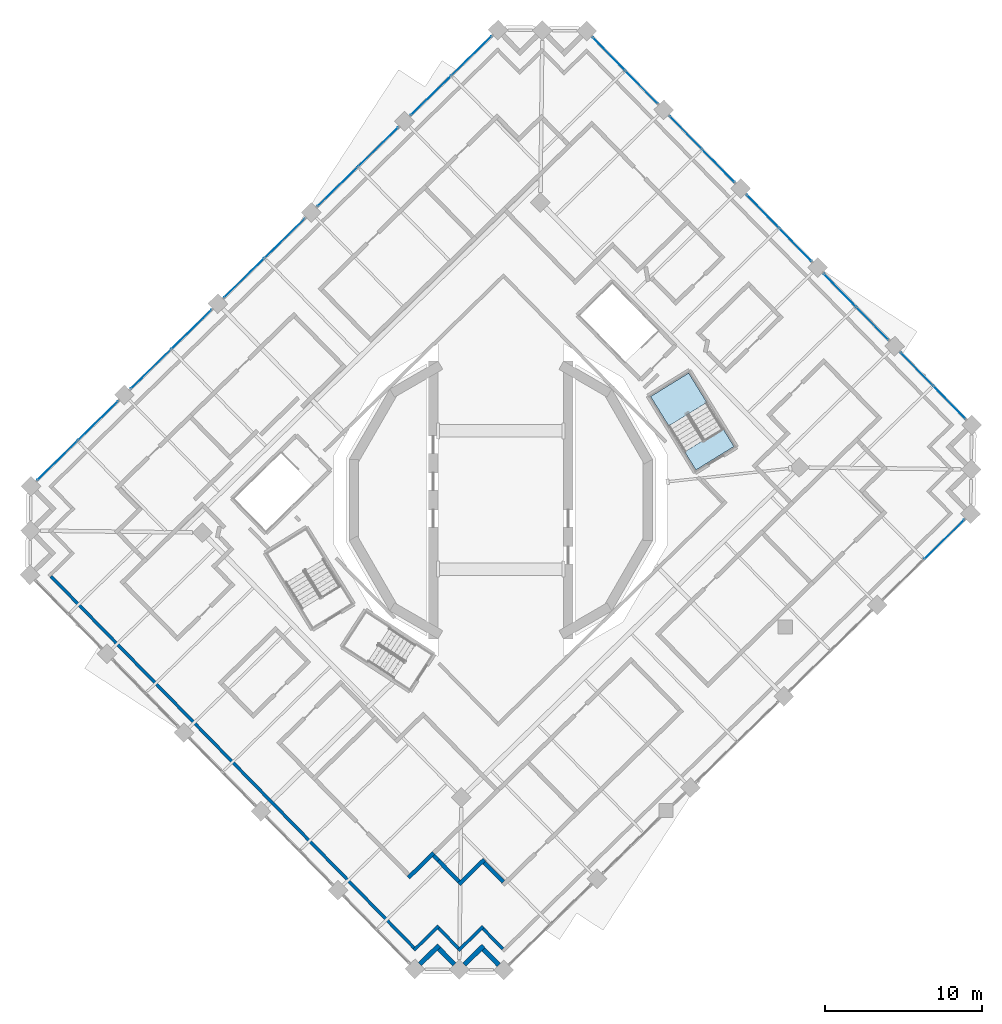
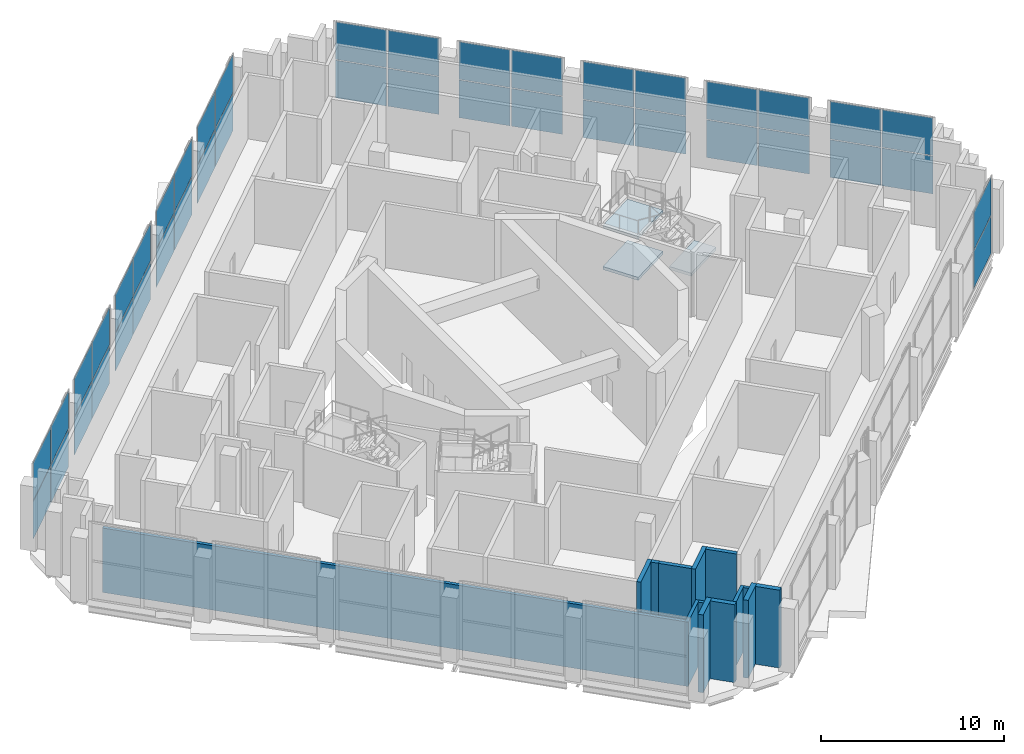
# One storey, part 12 of 20: 42 plates, 14 walls, 3 slabs, 12 elements without a shape of their own.
"""IFC4 building model written with IfcOpenShell, lengths in metres."""

from ifc_helpers import new_model, si_unit, direction, frame, frame_2d, origin, origin_2d, place, context, subcontext, project, spatial, polyline, rectangle, outline, extrude, material, layer, layer_set, type_object, element, aggregate, save


model = new_model("IFC4")

# Units and contexts
model_context = context("Model", 3, precision=1e-05, world=origin(), true_north=direction((0.0, 1.0)))
body_context = subcontext(model_context, "Body", "Model", "MODEL_VIEW")
ifc_project = project(units=[si_unit("LENGTHUNIT", "METRE"), si_unit("AREAUNIT", "SQUARE_METRE"), si_unit("VOLUMEUNIT", "CUBIC_METRE"), si_unit("PLANEANGLEUNIT", "RADIAN"), si_unit("MASSUNIT", "GRAM", prefix="KILO")], contexts=[model_context])

# Site, building, storey
site_placement = place(None, origin())
site = spatial("IfcSite", under=ifc_project, at=site_placement, CompositionType="ELEMENT")
building_placement = place(site_placement, origin())
building = spatial("IfcBuilding", under=site, at=building_placement, Name="Cantera Rosa Tower", CompositionType="ELEMENT")
storey_placement = place(building_placement, frame((0.0, 0.0, 245.0)))
storey = spatial("IfcBuildingStorey", under=building, at=storey_placement, Name="L54", CompositionType="ELEMENT", Elevation=245.0)

# Curtain wall, plates
ifc_material_1 = material(Name="Anodised aluminium louvre", Category="aluminium")
curtain_wall_type = type_object("IfcCurtainWallType", Name="CW3 REFUGE LOUVRE WALL", PredefinedType="NOTDEFINED", material=ifc_material_1)
curtain_wall_1_placement = place(storey_placement, origin())
curtain_wall_1 = element("IfcCurtainWall", 1, at=curtain_wall_1_placement, inside=storey, type_object=curtain_wall_type, Name="CW3 CW3", PredefinedType="NOTDEFINED")
ifc_material_2 = material(Name="Anodised aluminium louvre", Category="aluminium")
ifc_layer_1 = layer(ifc_material_2, 0.028076171875)
ifc_layer_set_1 = layer_set([ifc_layer_1], Name="CW-PANEL REFUGE")
plate_type = type_object("IfcPlateType", Name="CW-PANEL REFUGE", PredefinedType="CURTAIN_PANEL", material=ifc_layer_set_1)
plate_1_placement = place(storey_placement, frame((23.6826171875, 11.24755859375, 0.06005859375), z_axis=(0.0, 0.0, 1.0), x_axis=(-0.698831540389, 0.715286291046, 0.0)))
plate_1 = element("IfcPlate", 2, at=plate_1_placement, type_object=plate_type, Name="CW3 panel 1.1", PredefinedType="CURTAIN_PANEL", context=body_context, shape_type="SweptSolid", body=[
    extrude(rectangle(XDim=2.889892578125, YDim=0.028076171875, at=origin_2d()), origin(), (0.0, 0.0, 1.0), 2.510009765625),
])
plate_2_placement = place(storey_placement, frame((23.6826171875, 11.24755859375, 2.6298828125), z_axis=(0.0, 0.0, 1.0), x_axis=(-0.698831540389, 0.715286291046, 0.0)))
plate_2 = element("IfcPlate", 3, at=plate_2_placement, type_object=plate_type, Name="CW3 panel 1.2", PredefinedType="CURTAIN_PANEL", context=body_context, shape_type="SweptSolid", body=[
    extrude(rectangle(XDim=2.889892578125, YDim=0.028076171875, at=origin_2d()), origin(), (0.0, 0.0, 1.0), 2.510009765625),
])
plate_3_placement = place(storey_placement, frame((21.607177734375, 13.371826171875, 0.06005859375), z_axis=(0.0, 0.0, 1.0), x_axis=(-0.698831540389, 0.715286291046, 0.0)))
plate_3 = element("IfcPlate", 4, at=plate_3_placement, type_object=plate_type, Name="CW3 panel 2.1", PredefinedType="CURTAIN_PANEL", context=body_context, shape_type="SweptSolid", body=[
    extrude(rectangle(XDim=2.889892578125, YDim=0.028076171875, at=origin_2d()), origin(), (0.0, 0.0, 1.0), 2.510009765625),
])
plate_4_placement = place(storey_placement, frame((21.607177734375, 13.371826171875, 2.6298828125), z_axis=(0.0, 0.0, 1.0), x_axis=(-0.698831540389, 0.715286291046, 0.0)))
plate_4 = element("IfcPlate", 5, at=plate_4_placement, type_object=plate_type, Name="CW3 panel 2.2", PredefinedType="CURTAIN_PANEL", context=body_context, shape_type="SweptSolid", body=[
    extrude(rectangle(XDim=2.889892578125, YDim=0.028076171875, at=origin_2d()), origin(), (0.0, 0.0, 1.0), 2.510009765625),
])
aggregate(curtain_wall_1, [plate_1, plate_2, plate_3, plate_4])

curtain_wall_2_placement = place(storey_placement, origin())
curtain_wall_2 = element("IfcCurtainWall", 6, at=curtain_wall_2_placement, inside=storey, type_object=curtain_wall_type, Name="CW3 CW3", PredefinedType="NOTDEFINED")
plate_5_placement = place(storey_placement, frame((18.77685546875, 16.268798828125, 0.06005859375), z_axis=(0.0, 0.0, 1.0), x_axis=(-0.698831540389, 0.715286291046, 0.0)))
plate_5 = element("IfcPlate", 7, at=plate_5_placement, type_object=plate_type, Name="CW3 panel 1.1", PredefinedType="CURTAIN_PANEL", context=body_context, shape_type="SweptSolid", body=[
    extrude(rectangle(XDim=2.889892578125, YDim=0.028076171875, at=origin_2d()), origin(), (0.0, 0.0, 1.0), 2.510009765625),
])
plate_6_placement = place(storey_placement, frame((18.77685546875, 16.268798828125, 2.6298828125), z_axis=(0.0, 0.0, 1.0), x_axis=(-0.698831540389, 0.715286291046, 0.0)))
plate_6 = element("IfcPlate", 8, at=plate_6_placement, type_object=plate_type, Name="CW3 panel 1.2", PredefinedType="CURTAIN_PANEL", context=body_context, shape_type="SweptSolid", body=[
    extrude(rectangle(XDim=2.889892578125, YDim=0.028076171875, at=origin_2d()), origin(), (0.0, 0.0, 1.0), 2.510009765625),
])
plate_7_placement = place(storey_placement, frame((16.701416015625, 18.393310546875, 0.06005859375), z_axis=(0.0, 0.0, 1.0), x_axis=(-0.698831540389, 0.715286291046, 0.0)))
plate_7 = element("IfcPlate", 9, at=plate_7_placement, type_object=plate_type, Name="CW3 panel 2.1", PredefinedType="CURTAIN_PANEL", context=body_context, shape_type="SweptSolid", body=[
    extrude(rectangle(XDim=2.889892578125, YDim=0.028076171875, at=origin_2d()), origin(), (0.0, 0.0, 1.0), 2.510009765625),
])
plate_8_placement = place(storey_placement, frame((16.701416015625, 18.393310546875, 2.6298828125), z_axis=(0.0, 0.0, 1.0), x_axis=(-0.698831540389, 0.715286291046, 0.0)))
plate_8 = element("IfcPlate", 10, at=plate_8_placement, type_object=plate_type, Name="CW3 panel 2.2", PredefinedType="CURTAIN_PANEL", context=body_context, shape_type="SweptSolid", body=[
    extrude(rectangle(XDim=2.889892578125, YDim=0.028076171875, at=origin_2d()), origin(), (0.0, 0.0, 1.0), 2.510009765625),
])
aggregate(curtain_wall_2, [plate_5, plate_6, plate_7, plate_8])

curtain_wall_3_placement = place(storey_placement, origin())
curtain_wall_3 = element("IfcCurtainWall", 11, at=curtain_wall_3_placement, inside=storey, type_object=curtain_wall_type, Name="CW3 CW3", PredefinedType="NOTDEFINED")
plate_9_placement = place(storey_placement, frame((13.87109375, 21.2900390625, 0.06005859375), z_axis=(0.0, 0.0, 1.0), x_axis=(-0.698831540389, 0.715286291046, 0.0)))
plate_9 = element("IfcPlate", 12, at=plate_9_placement, type_object=plate_type, Name="CW3 panel 1.1", PredefinedType="CURTAIN_PANEL", context=body_context, shape_type="SweptSolid", body=[
    extrude(rectangle(XDim=2.889892578125, YDim=0.028076171875, at=origin_2d()), origin(), (0.0, 0.0, 1.0), 2.510009765625),
])
plate_10_placement = place(storey_placement, frame((13.87109375, 21.2900390625, 2.6298828125), z_axis=(0.0, 0.0, 1.0), x_axis=(-0.698831540389, 0.715286291046, 0.0)))
plate_10 = element("IfcPlate", 13, at=plate_10_placement, type_object=plate_type, Name="CW3 panel 1.2", PredefinedType="CURTAIN_PANEL", context=body_context, shape_type="SweptSolid", body=[
    extrude(rectangle(XDim=2.889892578125, YDim=0.028076171875, at=origin_2d()), origin(), (0.0, 0.0, 1.0), 2.510009765625),
])
plate_11_placement = place(storey_placement, frame((11.795654296875, 23.41455078125, 0.06005859375), z_axis=(0.0, 0.0, 1.0), x_axis=(-0.698831540389, 0.715286291046, 0.0)))
plate_11 = element("IfcPlate", 14, at=plate_11_placement, type_object=plate_type, Name="CW3 panel 2.1", PredefinedType="CURTAIN_PANEL", context=body_context, shape_type="SweptSolid", body=[
    extrude(rectangle(XDim=2.889892578125, YDim=0.028076171875, at=origin_2d()), origin(), (0.0, 0.0, 1.0), 2.510009765625),
])
plate_12_placement = place(storey_placement, frame((11.795654296875, 23.41455078125, 2.6298828125), z_axis=(0.0, 0.0, 1.0), x_axis=(-0.698831540389, 0.715286291046, 0.0)))
plate_12 = element("IfcPlate", 15, at=plate_12_placement, type_object=plate_type, Name="CW3 panel 2.2", PredefinedType="CURTAIN_PANEL", context=body_context, shape_type="SweptSolid", body=[
    extrude(rectangle(XDim=2.889892578125, YDim=0.028076171875, at=origin_2d()), origin(), (0.0, 0.0, 1.0), 2.510009765625),
])
aggregate(curtain_wall_3, [plate_9, plate_10, plate_11, plate_12])

curtain_wall_4_placement = place(storey_placement, origin())
curtain_wall_4 = element("IfcCurtainWall", 16, at=curtain_wall_4_placement, inside=storey, type_object=curtain_wall_type, Name="CW3 CW3", PredefinedType="NOTDEFINED")
plate_13_placement = place(storey_placement, frame((8.96533203125, 26.3115234375, 0.06005859375), z_axis=(0.0, 0.0, 1.0), x_axis=(-0.698831540389, 0.715286291046, 0.0)))
plate_13 = element("IfcPlate", 17, at=plate_13_placement, type_object=plate_type, Name="CW3 panel 1.1", PredefinedType="CURTAIN_PANEL", context=body_context, shape_type="SweptSolid", body=[
    extrude(rectangle(XDim=2.889892578125, YDim=0.028076171875, at=origin_2d()), origin(), (0.0, 0.0, 1.0), 2.510009765625),
])
plate_14_placement = place(storey_placement, frame((8.96533203125, 26.3115234375, 2.6298828125), z_axis=(0.0, 0.0, 1.0), x_axis=(-0.698831540389, 0.715286291046, 0.0)))
plate_14 = element("IfcPlate", 18, at=plate_14_placement, type_object=plate_type, Name="CW3 panel 1.2", PredefinedType="CURTAIN_PANEL", context=body_context, shape_type="SweptSolid", body=[
    extrude(rectangle(XDim=2.889892578125, YDim=0.028076171875, at=origin_2d()), origin(), (0.0, 0.0, 1.0), 2.510009765625),
])
plate_15_placement = place(storey_placement, frame((6.8896484375, 28.435791015625, 0.06005859375), z_axis=(0.0, 0.0, 1.0), x_axis=(-0.698831540389, 0.715286291046, 0.0)))
plate_15 = element("IfcPlate", 19, at=plate_15_placement, type_object=plate_type, Name="CW3 panel 2.1", PredefinedType="CURTAIN_PANEL", context=body_context, shape_type="SweptSolid", body=[
    extrude(rectangle(XDim=2.889892578125, YDim=0.028076171875, at=origin_2d()), origin(), (0.0, 0.0, 1.0), 2.510009765625),
])
plate_16_placement = place(storey_placement, frame((6.8896484375, 28.435791015625, 2.6298828125), z_axis=(0.0, 0.0, 1.0), x_axis=(-0.698831540389, 0.715286291046, 0.0)))
plate_16 = element("IfcPlate", 20, at=plate_16_placement, type_object=plate_type, Name="CW3 panel 2.2", PredefinedType="CURTAIN_PANEL", context=body_context, shape_type="SweptSolid", body=[
    extrude(rectangle(XDim=2.889892578125, YDim=0.028076171875, at=origin_2d()), origin(), (0.0, 0.0, 1.0), 2.510009765625),
])
aggregate(curtain_wall_4, [plate_13, plate_14, plate_15, plate_16])

curtain_wall_5_placement = place(storey_placement, origin())
curtain_wall_5 = element("IfcCurtainWall", 21, at=curtain_wall_5_placement, inside=storey, type_object=curtain_wall_type, Name="CW3 CW3", PredefinedType="NOTDEFINED")
plate_17_placement = place(storey_placement, frame((-1.86279296875, 28.307861328125, 0.06005859375), z_axis=(0.0, 0.0, 1.0), x_axis=(-0.715286291131, -0.698831540301, 0.0)))
plate_17 = element("IfcPlate", 22, at=plate_17_placement, type_object=plate_type, Name="CW3 panel 1.1", PredefinedType="CURTAIN_PANEL", context=body_context, shape_type="SweptSolid", body=[
    extrude(rectangle(XDim=3.5400390625, YDim=0.028076171875, at=origin_2d()), origin(), (0.0, 0.0, 1.0), 2.510009765625),
])
plate_18_placement = place(storey_placement, frame((-1.86279296875, 28.307861328125, 2.6298828125), z_axis=(0.0, 0.0, 1.0), x_axis=(-0.715286291131, -0.698831540301, 0.0)))
plate_18 = element("IfcPlate", 23, at=plate_18_placement, type_object=plate_type, Name="CW3 panel 1.2", PredefinedType="CURTAIN_PANEL", context=body_context, shape_type="SweptSolid", body=[
    extrude(rectangle(XDim=3.5400390625, YDim=0.028076171875, at=origin_2d()), origin(), (0.0, 0.0, 1.0), 2.510009765625),
])
plate_19_placement = place(storey_placement, frame((-4.4521484375, 25.778076171875, 0.06005859375), z_axis=(0.0, 0.0, 1.0), x_axis=(-0.715286291131, -0.698831540301, 0.0)))
plate_19 = element("IfcPlate", 24, at=plate_19_placement, type_object=plate_type, Name="CW3 panel 2.1", PredefinedType="CURTAIN_PANEL", context=body_context, shape_type="SweptSolid", body=[
    extrude(rectangle(XDim=3.5400390625, YDim=0.028076171875, at=origin_2d()), origin(), (0.0, 0.0, 1.0), 2.510009765625),
])
plate_20_placement = place(storey_placement, frame((-4.4521484375, 25.778076171875, 2.6298828125), z_axis=(0.0, 0.0, 1.0), x_axis=(-0.715286291131, -0.698831540301, 0.0)))
plate_20 = element("IfcPlate", 25, at=plate_20_placement, type_object=plate_type, Name="CW3 panel 2.2", PredefinedType="CURTAIN_PANEL", context=body_context, shape_type="SweptSolid", body=[
    extrude(rectangle(XDim=3.5400390625, YDim=0.028076171875, at=origin_2d()), origin(), (0.0, 0.0, 1.0), 2.510009765625),
])
aggregate(curtain_wall_5, [plate_17, plate_18, plate_19, plate_20])

curtain_wall_6_placement = place(storey_placement, origin())
curtain_wall_6 = element("IfcCurtainWall", 26, at=curtain_wall_6_placement, inside=storey, type_object=curtain_wall_type, Name="CW3 CW3", PredefinedType="NOTDEFINED")
plate_21_placement = place(storey_placement, frame((-7.81396484375, 22.49365234375, 0.06005859375), z_axis=(0.0, 0.0, 1.0), x_axis=(-0.715286291058, -0.698831540376, 0.0)))
plate_21 = element("IfcPlate", 27, at=plate_21_placement, type_object=plate_type, Name="CW3 panel 1.1", PredefinedType="CURTAIN_PANEL", context=body_context, shape_type="SweptSolid", body=[
    extrude(rectangle(XDim=3.5400390625, YDim=0.028076171875, at=origin_2d()), origin(), (0.0, 0.0, 1.0), 2.510009765625),
])
plate_22_placement = place(storey_placement, frame((-7.81396484375, 22.49365234375, 2.6298828125), z_axis=(0.0, 0.0, 1.0), x_axis=(-0.715286291058, -0.698831540376, 0.0)))
plate_22 = element("IfcPlate", 28, at=plate_22_placement, type_object=plate_type, Name="CW3 panel 1.2", PredefinedType="CURTAIN_PANEL", context=body_context, shape_type="SweptSolid", body=[
    extrude(rectangle(XDim=3.5400390625, YDim=0.028076171875, at=origin_2d()), origin(), (0.0, 0.0, 1.0), 2.510009765625),
])
plate_23_placement = place(storey_placement, frame((-10.4033203125, 19.9638671875, 0.06005859375), z_axis=(0.0, 0.0, 1.0), x_axis=(-0.715286291058, -0.698831540376, 0.0)))
plate_23 = element("IfcPlate", 29, at=plate_23_placement, type_object=plate_type, Name="CW3 panel 2.1", PredefinedType="CURTAIN_PANEL", context=body_context, shape_type="SweptSolid", body=[
    extrude(rectangle(XDim=3.5400390625, YDim=0.028076171875, at=origin_2d()), origin(), (0.0, 0.0, 1.0), 2.510009765625),
])
plate_24_placement = place(storey_placement, frame((-10.4033203125, 19.9638671875, 2.6298828125), z_axis=(0.0, 0.0, 1.0), x_axis=(-0.715286291058, -0.698831540376, 0.0)))
plate_24 = element("IfcPlate", 30, at=plate_24_placement, type_object=plate_type, Name="CW3 panel 2.2", PredefinedType="CURTAIN_PANEL", context=body_context, shape_type="SweptSolid", body=[
    extrude(rectangle(XDim=3.5400390625, YDim=0.028076171875, at=origin_2d()), origin(), (0.0, 0.0, 1.0), 2.510009765625),
])
aggregate(curtain_wall_6, [plate_21, plate_22, plate_23, plate_24])

curtain_wall_7_placement = place(storey_placement, origin())
curtain_wall_7 = element("IfcCurtainWall", 31, at=curtain_wall_7_placement, inside=storey, type_object=curtain_wall_type, Name="CW3 CW3", PredefinedType="NOTDEFINED")
plate_25_placement = place(storey_placement, frame((-13.76513671875, 16.67919921875, 0.06005859375), z_axis=(0.0, 0.0, 1.0), x_axis=(-0.715286291058, -0.698831540376, 0.0)))
plate_25 = element("IfcPlate", 32, at=plate_25_placement, type_object=plate_type, Name="CW3 panel 1.1", PredefinedType="CURTAIN_PANEL", context=body_context, shape_type="SweptSolid", body=[
    extrude(rectangle(XDim=3.5400390625, YDim=0.028076171875, at=origin_2d()), origin(), (0.0, 0.0, 1.0), 2.510009765625),
])
plate_26_placement = place(storey_placement, frame((-13.76513671875, 16.67919921875, 2.6298828125), z_axis=(0.0, 0.0, 1.0), x_axis=(-0.715286291058, -0.698831540376, 0.0)))
plate_26 = element("IfcPlate", 33, at=plate_26_placement, type_object=plate_type, Name="CW3 panel 1.2", PredefinedType="CURTAIN_PANEL", context=body_context, shape_type="SweptSolid", body=[
    extrude(rectangle(XDim=3.5400390625, YDim=0.028076171875, at=origin_2d()), origin(), (0.0, 0.0, 1.0), 2.510009765625),
])
plate_27_placement = place(storey_placement, frame((-16.3544921875, 14.1494140625, 0.06005859375), z_axis=(0.0, 0.0, 1.0), x_axis=(-0.715286291058, -0.698831540376, 0.0)))
plate_27 = element("IfcPlate", 34, at=plate_27_placement, type_object=plate_type, Name="CW3 panel 2.1", PredefinedType="CURTAIN_PANEL", context=body_context, shape_type="SweptSolid", body=[
    extrude(rectangle(XDim=3.5400390625, YDim=0.028076171875, at=origin_2d()), origin(), (0.0, 0.0, 1.0), 2.510009765625),
])
plate_28_placement = place(storey_placement, frame((-16.3544921875, 14.1494140625, 2.6298828125), z_axis=(0.0, 0.0, 1.0), x_axis=(-0.715286291058, -0.698831540376, 0.0)))
plate_28 = element("IfcPlate", 35, at=plate_28_placement, type_object=plate_type, Name="CW3 panel 2.2", PredefinedType="CURTAIN_PANEL", context=body_context, shape_type="SweptSolid", body=[
    extrude(rectangle(XDim=3.5400390625, YDim=0.028076171875, at=origin_2d()), origin(), (0.0, 0.0, 1.0), 2.510009765625),
])
aggregate(curtain_wall_7, [plate_25, plate_26, plate_27, plate_28])

curtain_wall_8_placement = place(storey_placement, origin())
curtain_wall_8 = element("IfcCurtainWall", 36, at=curtain_wall_8_placement, inside=storey, type_object=curtain_wall_type, Name="CW3 CW3", PredefinedType="NOTDEFINED")
plate_29_placement = place(storey_placement, frame((-19.71630859375, 10.864990234375, 0.06005859375), z_axis=(0.0, 0.0, 1.0), x_axis=(-0.715286291131, -0.698831540301, 0.0)))
plate_29 = element("IfcPlate", 37, at=plate_29_placement, type_object=plate_type, Name="CW3 panel 1.1", PredefinedType="CURTAIN_PANEL", context=body_context, shape_type="SweptSolid", body=[
    extrude(rectangle(XDim=3.5400390625, YDim=0.028076171875, at=origin_2d()), origin(), (0.0, 0.0, 1.0), 2.510009765625),
])
plate_30_placement = place(storey_placement, frame((-19.71630859375, 10.864990234375, 2.6298828125), z_axis=(0.0, 0.0, 1.0), x_axis=(-0.715286291131, -0.698831540301, 0.0)))
plate_30 = element("IfcPlate", 38, at=plate_30_placement, type_object=plate_type, Name="CW3 panel 1.2", PredefinedType="CURTAIN_PANEL", context=body_context, shape_type="SweptSolid", body=[
    extrude(rectangle(XDim=3.5400390625, YDim=0.028076171875, at=origin_2d()), origin(), (0.0, 0.0, 1.0), 2.510009765625),
])
plate_31_placement = place(storey_placement, frame((-22.3056640625, 8.335205078125, 0.06005859375), z_axis=(0.0, 0.0, 1.0), x_axis=(-0.715286291131, -0.698831540301, 0.0)))
plate_31 = element("IfcPlate", 39, at=plate_31_placement, type_object=plate_type, Name="CW3 panel 2.1", PredefinedType="CURTAIN_PANEL", context=body_context, shape_type="SweptSolid", body=[
    extrude(rectangle(XDim=3.5400390625, YDim=0.028076171875, at=origin_2d()), origin(), (0.0, 0.0, 1.0), 2.510009765625),
])
plate_32_placement = place(storey_placement, frame((-22.3056640625, 8.335205078125, 2.6298828125), z_axis=(0.0, 0.0, 1.0), x_axis=(-0.715286291131, -0.698831540301, 0.0)))
plate_32 = element("IfcPlate", 40, at=plate_32_placement, type_object=plate_type, Name="CW3 panel 2.2", PredefinedType="CURTAIN_PANEL", context=body_context, shape_type="SweptSolid", body=[
    extrude(rectangle(XDim=3.5400390625, YDim=0.028076171875, at=origin_2d()), origin(), (0.0, 0.0, 1.0), 2.510009765625),
])
aggregate(curtain_wall_8, [plate_29, plate_30, plate_31, plate_32])

curtain_wall_9_placement = place(storey_placement, origin())
curtain_wall_9 = element("IfcCurtainWall", 41, at=curtain_wall_9_placement, inside=storey, type_object=curtain_wall_type, Name="CW3 CW3", PredefinedType="NOTDEFINED")
plate_33_placement = place(storey_placement, frame((-25.66748046875, 5.05078125, 0.06005859375), z_axis=(0.0, 0.0, 1.0), x_axis=(-0.715286290997, -0.698831540439, 0.0)))
plate_33 = element("IfcPlate", 42, at=plate_33_placement, type_object=plate_type, Name="CW3 panel 1.1", PredefinedType="CURTAIN_PANEL", context=body_context, shape_type="SweptSolid", body=[
    extrude(rectangle(XDim=3.5400390625, YDim=0.028076171875, at=origin_2d()), origin(), (0.0, 0.0, 1.0), 2.510009765625),
])
plate_34_placement = place(storey_placement, frame((-25.66748046875, 5.05078125, 2.6298828125), z_axis=(0.0, 0.0, 1.0), x_axis=(-0.715286290997, -0.698831540439, 0.0)))
plate_34 = element("IfcPlate", 43, at=plate_34_placement, type_object=plate_type, Name="CW3 panel 1.2", PredefinedType="CURTAIN_PANEL", context=body_context, shape_type="SweptSolid", body=[
    extrude(rectangle(XDim=3.5400390625, YDim=0.028076171875, at=origin_2d()), origin(), (0.0, 0.0, 1.0), 2.510009765625),
])
plate_35_placement = place(storey_placement, frame((-28.2568359375, 2.52099609375, 0.06005859375), z_axis=(0.0, 0.0, 1.0), x_axis=(-0.715286290997, -0.698831540439, 0.0)))
plate_35 = element("IfcPlate", 44, at=plate_35_placement, type_object=plate_type, Name="CW3 panel 2.1", PredefinedType="CURTAIN_PANEL", context=body_context, shape_type="SweptSolid", body=[
    extrude(rectangle(XDim=3.5400390625, YDim=0.028076171875, at=origin_2d()), origin(), (0.0, 0.0, 1.0), 2.510009765625),
])
plate_36_placement = place(storey_placement, frame((-28.2568359375, 2.52099609375, 2.6298828125), z_axis=(0.0, 0.0, 1.0), x_axis=(-0.715286290997, -0.698831540439, 0.0)))
plate_36 = element("IfcPlate", 45, at=plate_36_placement, type_object=plate_type, Name="CW3 panel 2.2", PredefinedType="CURTAIN_PANEL", context=body_context, shape_type="SweptSolid", body=[
    extrude(rectangle(XDim=3.5400390625, YDim=0.028076171875, at=origin_2d()), origin(), (0.0, 0.0, 1.0), 2.510009765625),
])
aggregate(curtain_wall_9, [plate_33, plate_34, plate_35, plate_36])

curtain_wall_10_placement = place(storey_placement, origin())
curtain_wall_10 = element("IfcCurtainWall", 46, at=curtain_wall_10_placement, inside=storey, type_object=curtain_wall_type, Name="CW3 CW3", PredefinedType="NOTDEFINED")
plate_37_placement = place(storey_placement, frame((28.2568359375, -2.52099609375, 0.06005859375), z_axis=(0.0, 0.0, 1.0), x_axis=(0.715286290997, 0.698831540439, 0.0)))
plate_37 = element("IfcPlate", 47, at=plate_37_placement, type_object=plate_type, Name="CW3 panel 2.1", PredefinedType="CURTAIN_PANEL", context=body_context, shape_type="SweptSolid", body=[
    extrude(rectangle(XDim=3.5400390625, YDim=0.028076171875, at=origin_2d()), origin(), (0.0, 0.0, 1.0), 2.510009765625),
])
plate_38_placement = place(storey_placement, frame((28.2568359375, -2.52099609375, 2.6298828125), z_axis=(0.0, 0.0, 1.0), x_axis=(0.715286290997, 0.698831540439, 0.0)))
plate_38 = element("IfcPlate", 48, at=plate_38_placement, type_object=plate_type, Name="CW3 panel 2.2", PredefinedType="CURTAIN_PANEL", context=body_context, shape_type="SweptSolid", body=[
    extrude(rectangle(XDim=3.5400390625, YDim=0.028076171875, at=origin_2d()), origin(), (0.0, 0.0, 1.0), 2.510009765625),
])
aggregate(curtain_wall_10, [plate_37, plate_38])

curtain_wall_11_placement = place(storey_placement, origin())
curtain_wall_11 = element("IfcCurtainWall", 49, at=curtain_wall_11_placement, inside=storey, type_object=curtain_wall_type, Name="CW3 CW3", PredefinedType="NOTDEFINED")
plate_39_placement = place(storey_placement, frame((28.58837890625, 6.226318359375, 0.06005859375), z_axis=(0.0, 0.0, 1.0), x_axis=(-0.698831540389, 0.715286291046, 0.0)))
plate_39 = element("IfcPlate", 50, at=plate_39_placement, type_object=plate_type, Name="CW3 panel 1.1", PredefinedType="CURTAIN_PANEL", context=body_context, shape_type="SweptSolid", body=[
    extrude(rectangle(XDim=2.889892578125, YDim=0.028076171875, at=origin_2d()), origin(), (0.0, 0.0, 1.0), 2.510009765625),
])
plate_40_placement = place(storey_placement, frame((28.58837890625, 6.226318359375, 2.6298828125), z_axis=(0.0, 0.0, 1.0), x_axis=(-0.698831540389, 0.715286291046, 0.0)))
plate_40 = element("IfcPlate", 51, at=plate_40_placement, type_object=plate_type, Name="CW3 panel 1.2", PredefinedType="CURTAIN_PANEL", context=body_context, shape_type="SweptSolid", body=[
    extrude(rectangle(XDim=2.889892578125, YDim=0.028076171875, at=origin_2d()), origin(), (0.0, 0.0, 1.0), 2.510009765625),
])
plate_41_placement = place(storey_placement, frame((26.512939453125, 8.3505859375, 0.06005859375), z_axis=(0.0, 0.0, 1.0), x_axis=(-0.698831540389, 0.715286291046, 0.0)))
plate_41 = element("IfcPlate", 52, at=plate_41_placement, type_object=plate_type, Name="CW3 panel 2.1", PredefinedType="CURTAIN_PANEL", context=body_context, shape_type="SweptSolid", body=[
    extrude(rectangle(XDim=2.889892578125, YDim=0.028076171875, at=origin_2d()), origin(), (0.0, 0.0, 1.0), 2.510009765625),
])
plate_42_placement = place(storey_placement, frame((26.512939453125, 8.3505859375, 2.6298828125), z_axis=(0.0, 0.0, 1.0), x_axis=(-0.698831540389, 0.715286291046, 0.0)))
plate_42 = element("IfcPlate", 53, at=plate_42_placement, type_object=plate_type, Name="CW3 panel 2.2", PredefinedType="CURTAIN_PANEL", context=body_context, shape_type="SweptSolid", body=[
    extrude(rectangle(XDim=2.889892578125, YDim=0.028076171875, at=origin_2d()), origin(), (0.0, 0.0, 1.0), 2.510009765625),
])
aggregate(curtain_wall_11, [plate_39, plate_40, plate_41, plate_42])

# Stair, slabs
ifc_material_3 = material(Name="Concrete C35/45", Category="concrete")
stair_type = type_object("IfcStairType", Name="EXIT STAIR 1350 DOGLEG", PredefinedType="HALF_TURN_STAIR", material=ifc_material_3)
stair_placement = place(storey_placement, origin())
stair = element("IfcStair", 54, at=stair_placement, inside=storey, type_object=stair_type, Name="L54 ST-51", PredefinedType="HALF_TURN_STAIR")
ifc_material_4 = material(Name="Concrete C35/45", Category="concrete")
ifc_layer_2 = layer(ifc_material_4, 0.199951171875)
ifc_layer_set_2 = layer_set([ifc_layer_2], Name="STAIR LANDING 200")
slab_type = type_object("IfcSlabType", Name="STAIR LANDING 200", PredefinedType="LANDING", material=ifc_layer_set_2)
slab_1_placement = place(storey_placement, frame((0.0, 0.0, 1.175048828125)))
slab_1 = element("IfcSlab", 55, at=slab_1_placement, type_object=slab_type, Name="ST-51 landing 1", PredefinedType="LANDING", context=body_context, shape_type="SweptSolid", body=[
    extrude(outline(polyline([(13.125244140625, 6.214599609375), (11.96923828125, 8.088623046875), (9.54345703125, 6.592529296875), (10.699462890625, 4.71826171875), (13.125244140625, 6.214599609375)])), origin(), (0.0, 0.0, 1.0), 0.199951171875),
])
slab_2_placement = place(storey_placement, frame((0.0, 0.0, 2.550048828125)))
slab_2 = element("IfcSlab", 56, at=slab_2_placement, type_object=slab_type, Name="ST-51 landing 2", PredefinedType="LANDING", context=body_context, shape_type="SweptSolid", body=[
    extrude(outline(polyline([(14.8564453125, 3.407470703125), (14.1416015625, 4.566650390625), (11.7158203125, 3.070556640625), (12.430908203125, 1.911376953125), (14.8564453125, 3.407470703125)])), origin(), (0.0, 0.0, 1.0), 0.199951171875),
])
slab_3_placement = place(storey_placement, frame((0.0, 0.0, 3.925048828125)))
slab_3 = element("IfcSlab", 57, at=slab_3_placement, type_object=slab_type, Name="ST-51 landing 3", PredefinedType="LANDING", context=body_context, shape_type="SweptSolid", body=[
    extrude(outline(polyline([(13.125244140625, 6.214599609375), (11.96923828125, 8.088623046875), (9.54345703125, 6.592529296875), (10.699462890625, 4.71826171875), (13.125244140625, 6.214599609375)])), origin(), (0.0, 0.0, 1.0), 0.199951171875),
])
aggregate(stair, [slab_1, slab_2, slab_3])

# Walls
ifc_material_5 = material(Name="Masonry blockwork", Category="masonry")
ifc_layer_3 = layer(ifc_material_5, 0.199951171875)
ifc_layer_set_3 = layer_set([ifc_layer_3], Name="Blockwork partition 200")
wall_type_1 = type_object("IfcWallType", Name="Blockwork partition 200", PredefinedType="PARTITIONING", material=ifc_layer_set_3)
wall_1_placement = place(storey_placement, frame((0.126708984375, -28.60595703125, 0.0), z_axis=(0.0, 0.0, 1.0), x_axis=(-0.698784721194, 0.715332030197, 0.0)))
element("IfcWall", 58, at=wall_1_placement, inside=storey, type_object=wall_type_1, Name="Partition L54-101", PredefinedType="PARTITIONING", context=body_context, shape_type="SweptSolid", body=[
    extrude(rectangle(XDim=1.800048828125, YDim=0.199951171875, at=frame_2d((0.89990234375, 0.0))), origin(), (0.0, 0.0, 1.0), 4.300048828125),
])
wall_2_placement = place(storey_placement, frame((-2.703125, -28.71435546875, 0.0), z_axis=(0.0, 0.0, 1.0), x_axis=(0.715325866743, 0.698791030543, 0.0)))
element("IfcWall", 59, at=wall_2_placement, inside=storey, type_object=wall_type_1, Name="Partition L54-103", PredefinedType="PARTITIONING", context=body_context, shape_type="SweptSolid", body=[
    extrude(rectangle(XDim=2.199951171875, YDim=0.199951171875, at=frame_2d((1.10009765625, 0.0))), origin(), (0.0, 0.0, 1.0), 4.300048828125),
])
wall_3_placement = place(storey_placement, frame((-2.701416015625, -28.572998046875, 0.0), z_axis=(0.0, 0.0, 1.0), x_axis=(-0.698784721194, 0.715332030197, 0.0)))
element("IfcWall", 60, at=wall_3_placement, inside=storey, type_object=wall_type_1, Name="Partition L54-105", PredefinedType="PARTITIONING", context=body_context, shape_type="SweptSolid", body=[
    extrude(rectangle(XDim=1.800048828125, YDim=0.199951171875, at=frame_2d((0.89990234375, 0.0))), origin(), (0.0, 0.0, 1.0), 4.300048828125),
])
wall_4_placement = place(storey_placement, frame((-5.53125, -28.681396484375, 0.0), z_axis=(0.0, 0.0, 1.0), x_axis=(0.715271671648, 0.698846503703, 0.0)))
element("IfcWall", 61, at=wall_4_placement, inside=storey, type_object=wall_type_1, Name="Partition L54-107", PredefinedType="PARTITIONING", context=body_context, shape_type="SweptSolid", body=[
    extrude(rectangle(XDim=2.199951171875, YDim=0.199951171875, at=frame_2d((1.10009765625, 0.0))), origin(), (0.0, 0.0, 1.0), 4.300048828125),
])
wall_5_placement = place(storey_placement, frame((-5.52978515625, -28.5400390625, 0.0), z_axis=(0.0, 0.0, 1.0), x_axis=(-0.698827390134, 0.715290345802, 0.0)))
element("IfcWall", 62, at=wall_5_placement, inside=storey, type_object=wall_type_1, Name="Partition L54-109", PredefinedType="PARTITIONING", context=body_context, shape_type="SweptSolid", body=[
    extrude(rectangle(XDim=33.099853515625, YDim=0.199951171875, at=frame_2d((16.5498046875, 0.0))), origin(), (0.0, 0.0, 1.0), 4.300048828125),
])
ifc_material_6 = material(Name="Hollow clay masonry with cantera stone cladding", Category="masonry")
ifc_layer_4 = layer(ifc_material_6, 0.300048828125)
ifc_layer_set_4 = layer_set([ifc_layer_4], Name="EW-LOGGIA 300")
wall_type_2 = type_object("IfcWallType", Name="EW-LOGGIA 300", PredefinedType="SOLIDWALL", material=ifc_layer_set_4)
wall_6_placement = place(storey_placement, frame((-5.15283203125, -29.56982421875, 0.0), z_axis=(0.0, 0.0, 1.0), x_axis=(0.715316077832, 0.69880105094, 0.0)))
element("IfcWall", 63, at=wall_6_placement, inside=storey, type_object=wall_type_2, Name="EN-L54-W19a", PredefinedType="SOLIDWALL", context=body_context, shape_type="SweptSolid", body=[
    extrude(rectangle(XDim=1.699951171875, YDim=0.300048828125, at=frame_2d((0.85009765625, 0.0))), origin(), (0.0, 0.0, 1.0), 5.199951171875),
])
wall_7_placement = place(storey_placement, frame((-3.939208984375, -28.593994140625, 0.0), z_axis=(0.0, 0.0, 1.0), x_axis=(0.698861982187, -0.715256548278, 0.0)))
element("IfcWall", 64, at=wall_7_placement, inside=storey, type_object=wall_type_2, Name="EN-L54-W19b", PredefinedType="SOLIDWALL", context=body_context, shape_type="SweptSolid", body=[
    extrude(rectangle(XDim=1.39990234375, YDim=0.300048828125, at=frame_2d((0.699951171875, 0.0))), origin(), (0.0, 0.0, 1.0), 5.199951171875),
])
wall_8_placement = place(storey_placement, frame((-2.324462890625, -29.602783203125, 0.0), z_axis=(0.0, 0.0, 1.0), x_axis=(0.715316077832, 0.69880105094, 0.0)))
element("IfcWall", 65, at=wall_8_placement, inside=storey, type_object=wall_type_2, Name="EN-L54-W20a", PredefinedType="SOLIDWALL", context=body_context, shape_type="SweptSolid", body=[
    extrude(rectangle(XDim=1.699951171875, YDim=0.300048828125, at=frame_2d((0.85009765625, 0.0))), origin(), (0.0, 0.0, 1.0), 5.199951171875),
])
wall_9_placement = place(storey_placement, frame((-1.111083984375, -28.626953125, 0.0), z_axis=(0.0, 0.0, 1.0), x_axis=(0.698951192766, -0.71516937164, 0.0)))
element("IfcWall", 66, at=wall_9_placement, inside=storey, type_object=wall_type_2, Name="EN-L54-W20b", PredefinedType="SOLIDWALL", context=body_context, shape_type="SweptSolid", body=[
    extrude(rectangle(XDim=1.39990234375, YDim=0.300048828125, at=frame_2d((0.699951171875, 0.0))), origin(), (0.0, 0.0, 1.0), 5.199951171875),
])
ifc_material_7 = material(Name="Masonry blockwork", Category="masonry")
ifc_layer_5 = layer(ifc_material_7, 0.25)
ifc_layer_set_5 = layer_set([ifc_layer_5], Name="Fire-rated wall 250")
wall_type_3 = type_object("IfcWallType", Name="Fire-rated wall 250", PredefinedType="PARTITIONING", material=ifc_layer_set_5)
wall_10_placement = place(storey_placement, frame((-2.669677734375, -24.312744140625, 0.0), z_axis=(0.0, 0.0, 1.0), x_axis=(-0.698855744509, 0.715262642927, 0.0)))
element("IfcWall", 67, at=wall_10_placement, inside=storey, type_object=wall_type_3, Name="Fire wall L54-11", PredefinedType="PARTITIONING", context=body_context, shape_type="SweptSolid", body=[
    extrude(rectangle(XDim=1.875, YDim=0.25, at=frame_2d((0.9375, 0.0))), origin(), (0.0, 0.0, 1.0), 4.300048828125),
])
wall_11_placement = place(storey_placement, frame((-3.97998046875, -22.9716796875, 0.0), z_axis=(0.0, 0.0, 1.0), x_axis=(-0.698438682859, 0.715669900364, 0.0)))
element("IfcWall", 68, at=wall_11_placement, inside=storey, type_object=wall_type_3, Name="Fire wall L54-12", PredefinedType="PARTITIONING", context=body_context, shape_type="SweptSolid", body=[
    extrude(rectangle(XDim=0.425048828125, YDim=0.25, at=frame_2d((0.21240234375, 0.0))), origin(), (0.0, 0.0, 1.0), 4.300048828125),
])
wall_12_placement = place(storey_placement, frame((0.15869140625, -24.345703125, 0.0), z_axis=(0.0, 0.0, 1.0), x_axis=(-0.698827521153, 0.715290217799, 0.0)))
element("IfcWall", 69, at=wall_12_placement, inside=storey, type_object=wall_type_3, Name="Fire wall L54-17", PredefinedType="PARTITIONING", context=body_context, shape_type="SweptSolid", body=[
    extrude(rectangle(XDim=1.75, YDim=0.25, at=frame_2d((0.875, 0.0))), origin(), (0.0, 0.0, 1.0), 4.300048828125),
])
for number, where, z_axis, x_axis, name in (
    (70, (-5.88427734375, -24.063232421875, 0.0), (0.0, 0.0, 1.0), (0.71525129782, 0.698867355774, 0.0), "Fire wall L54-56"),
    (71, (-2.671630859375, -24.489501953125, 0.0), (0.0, 0.0, 1.0), (0.71525129782, 0.698867355774, 0.0), "Fire wall L54-82"),
):
    element("IfcWall", number, at=place(storey_placement, frame(where, z_axis=z_axis, x_axis=x_axis)), inside=storey, type_object=wall_type_3, Name=name, PredefinedType="PARTITIONING", context=body_context, shape_type="SweptSolid", body=[
        extrude(rectangle(XDim=2.25, YDim=0.25, at=frame_2d((1.125, 0.0))), origin(), (0.0, 0.0, 1.0), 4.300048828125),
    ])

save(model, "model.ifc")
